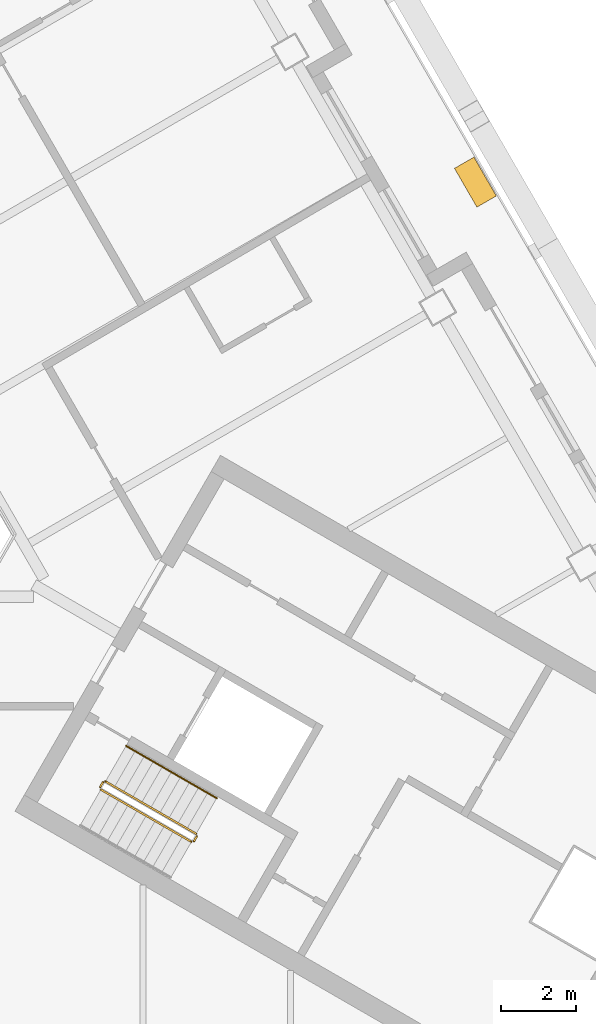
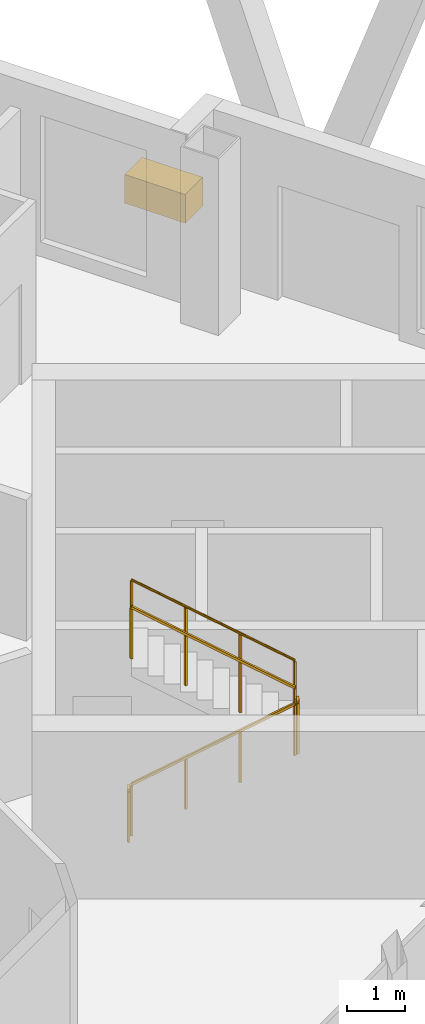
# One storey, part 11 of 13: 5 railings, 1 covering.
"""IFC4 building model written with IfcOpenShell, lengths in metres."""

from ifc_helpers import new_model, si_unit, direction, frame, origin, origin_2d, place, context, subcontext, project, spatial, rectangle, circle, extrude, material, type_object, element, save


model = new_model("IFC4")

# Units and contexts
model_context = context("Model", 3, precision=1e-05, world=origin(), true_north=direction((0.0, 1.0)))
body_context = subcontext(model_context, "Body", "Model", "MODEL_VIEW")
ifc_project = project(units=[si_unit("LENGTHUNIT", "METRE"), si_unit("AREAUNIT", "SQUARE_METRE"), si_unit("VOLUMEUNIT", "CUBIC_METRE"), si_unit("PLANEANGLEUNIT", "RADIAN"), si_unit("MASSUNIT", "GRAM", prefix="KILO")], contexts=[model_context])

# Site, building, storey
site_placement = place(None, origin())
site = spatial("IfcSite", under=ifc_project, at=site_placement, CompositionType="ELEMENT")
building_placement = place(site_placement, origin())
building = spatial("IfcBuilding", under=site, at=building_placement, Name="Apuvela Tower Hotel", CompositionType="ELEMENT")
storey_placement = place(building_placement, frame((0.0, 0.0, 191.0)))
storey = spatial("IfcBuildingStorey", under=building, at=storey_placement, Name="L46", CompositionType="ELEMENT", Elevation=191.0)

# Railings
ifc_material_1 = material(Name="Steel S275 balustrade", Category="steel")
railing_type_1 = type_object("IfcRailingType", Name="COR-GUARD-1100", PredefinedType="GUARDRAIL", material=ifc_material_1)
railing_1_placement = place(storey_placement, frame((10.718994140625, -10.63427734375, 0.168212890625)))
element("IfcRailing", 1, at=railing_1_placement, inside=storey, type_object=railing_type_1, Name="L46 ST3 stair guard 1", PredefinedType="GUARDRAIL", context=body_context, shape_type="SweptSolid", body=[
    extrude(rectangle(XDim=0.048095703125, YDim=0.048095703125, at=origin_2d()), frame((0.0, 0.0, 1.076171875), z_axis=(0.742390482028, -0.42860119049, 0.514934356695), x_axis=(0.49998411664, 0.866034573852, 0.0)), (0.0, 0.0, 1.0), 3.26611328125),
    extrude(rectangle(XDim=0.0419921875, YDim=0.0419921875, at=origin_2d()), origin(), (0.0, 0.0, 1.0), 1.052001953125),
    extrude(rectangle(XDim=0.0419921875, YDim=0.0419921875, at=origin_2d()), frame((0.808349609375, -0.466552734375, 0.560546875)), (0.0, 0.0, 1.0), 1.052001953125),
    extrude(rectangle(XDim=0.0419921875, YDim=0.0419921875, at=origin_2d()), frame((1.616455078125, -0.933349609375, 1.121337890625)), (0.0, 0.0, 1.0), 1.052001953125),
    extrude(rectangle(XDim=0.0419921875, YDim=0.0419921875, at=origin_2d()), frame((2.4248046875, -1.39990234375, 1.681884765625)), (0.0, 0.0, 1.0), 1.052001953125),
])
railing_2_placement = place(storey_placement, frame((13.212158203125, -12.015869140625, 1.85009765625)))
element("IfcRailing", 2, at=railing_2_placement, inside=storey, type_object=railing_type_1, Name="L46 ST3 stair guard 2", PredefinedType="GUARDRAIL", context=body_context, shape_type="SweptSolid", body=[
    extrude(rectangle(XDim=0.048095703125, YDim=0.048095703125, at=origin_2d()), frame((0.0, 0.0, 1.076171875), z_axis=(0.499816412211, 0.866131372301, 0.0), x_axis=(-0.866131372301, 0.499816412211, 0.0)), (0.0, 0.0, 1.0), 0.14990234375),
    extrude(rectangle(XDim=0.0419921875, YDim=0.0419921875, at=origin_2d()), origin(), (0.0, 0.0, 1.0), 1.052001953125),
    extrude(rectangle(XDim=0.0419921875, YDim=0.0419921875, at=origin_2d()), frame((0.074951171875, 0.1298828125, 0.0)), (0.0, 0.0, 1.0), 1.052001953125),
])
railing_3_placement = place(storey_placement, frame((13.268798828125, -11.817626953125, 2.01806640625)))
element("IfcRailing", 3, at=railing_3_placement, inside=storey, type_object=railing_type_1, Name="L46 ST3 stair guard 3", PredefinedType="GUARDRAIL", context=body_context, shape_type="SweptSolid", body=[
    extrude(rectangle(XDim=0.048095703125, YDim=0.048095703125, at=origin_2d()), frame((0.0, 0.0, 1.076171875), z_axis=(-0.742390482028, 0.42860119049, 0.514934356695), x_axis=(-0.49998411664, -0.866034573852, 0.0)), (0.0, 0.0, 1.0), 3.26611328125),
    extrude(rectangle(XDim=0.0419921875, YDim=0.0419921875, at=origin_2d()), origin(), (0.0, 0.0, 1.0), 1.052001953125),
    extrude(rectangle(XDim=0.0419921875, YDim=0.0419921875, at=origin_2d()), frame((-0.808349609375, 0.466552734375, 0.560546875)), (0.0, 0.0, 1.0), 1.052001953125),
    extrude(rectangle(XDim=0.0419921875, YDim=0.0419921875, at=origin_2d()), frame((-1.616455078125, 0.933349609375, 1.121337890625)), (0.0, 0.0, 1.0), 1.052001953125),
    extrude(rectangle(XDim=0.0419921875, YDim=0.0419921875, at=origin_2d()), frame((-2.4248046875, 1.39990234375, 1.681884765625)), (0.0, 0.0, 1.0), 1.052001953125),
])
railing_4_placement = place(storey_placement, frame((10.70068359375, -10.56591796875, 0.0)))
element("IfcRailing", 4, at=railing_4_placement, inside=storey, type_object=railing_type_1, Name="L46 ST3 stair guard 4", PredefinedType="GUARDRAIL", context=body_context, shape_type="SweptSolid", body=[
    extrude(rectangle(XDim=0.048095703125, YDim=0.048095703125, at=origin_2d()), frame((0.0, 0.0, 1.076171875), z_axis=(0.499816412211, 0.866131372301, 0.0), x_axis=(-0.866131372301, 0.499816412211, 0.0)), (0.0, 0.0, 1.0), 0.14990234375),
    extrude(rectangle(XDim=0.0419921875, YDim=0.0419921875, at=origin_2d()), origin(), (0.0, 0.0, 1.0), 1.052001953125),
    extrude(rectangle(XDim=0.0419921875, YDim=0.0419921875, at=origin_2d()), frame((0.074951171875, 0.1298828125, 0.0)), (0.0, 0.0, 1.0), 1.052001953125),
])
ifc_material_2 = material(Name="Stainless steel 316 handrail", Category="steel")
railing_type_2 = type_object("IfcRailingType", Name="COR-HANDRAIL-900", PredefinedType="HANDRAIL", material=ifc_material_2)
railing_5_placement = place(storey_placement, frame((13.81884765625, -10.864990234375, 2.01806640625)))
element("IfcRailing", 5, at=railing_5_placement, inside=storey, type_object=railing_type_2, Name="L46 ST3 stair handrail 2", PredefinedType="HANDRAIL", context=body_context, shape_type="SweptSolid", body=[
    extrude(circle(Radius=0.02392578125, at=origin_2d()), frame((0.0, 0.0, 0.8759765625), z_axis=(-0.742390482028, 0.42860119049, 0.514934356695), x_axis=(-0.49998411664, -0.866034573852, 0.0)), (0.0, 0.0, 1.0), 3.26611328125),
    extrude(rectangle(XDim=0.0419921875, YDim=0.0419921875, at=origin_2d()), origin(), (0.0, 0.0, 1.0), 0.851806640625),
    extrude(rectangle(XDim=0.0419921875, YDim=0.0419921875, at=origin_2d()), frame((-0.808349609375, 0.466552734375, 0.560546875)), (0.0, 0.0, 1.0), 0.851806640625),
    extrude(rectangle(XDim=0.0419921875, YDim=0.0419921875, at=origin_2d()), frame((-1.616455078125, 0.933349609375, 1.121337890625)), (0.0, 0.0, 1.0), 0.851806640625),
    extrude(rectangle(XDim=0.0419921875, YDim=0.0419921875, at=origin_2d()), frame((-2.4248046875, 1.39990234375, 1.681884765625)), (0.0, 0.0, 1.0), 0.851806640625),
])

# Covering
ifc_material_3 = material(Name="Planting substrate and soil, planted")
covering_type = type_object("IfcCoveringType", Name="ENV-PLANTER-1200x600", PredefinedType="USERDEFINED", material=ifc_material_3)
covering_placement = place(storey_placement, frame((20.74609375, 5.626708984375, 0.0), z_axis=(0.0, 0.0, 1.0), x_axis=(-0.5, 0.866025403784, 0.0)))
element("IfcCovering", 6, at=covering_placement, inside=storey, type_object=covering_type, Name="Planter NE2", ObjectType="PLANTER", PredefinedType="USERDEFINED", context=body_context, shape_type="SweptSolid", body=[
    extrude(rectangle(XDim=1.199951171875, YDim=0.60009765625, at=origin_2d()), origin(), (0.0, 0.0, 1.0), 0.60009765625),
])

save(model, "model.ifc")
